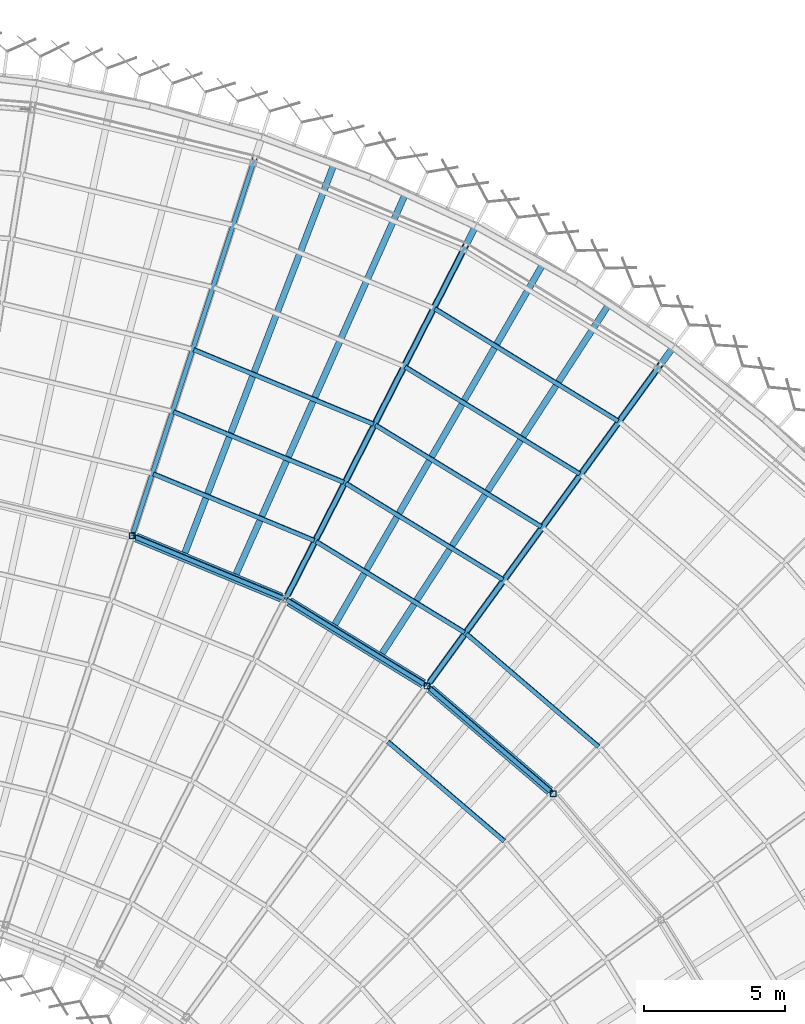
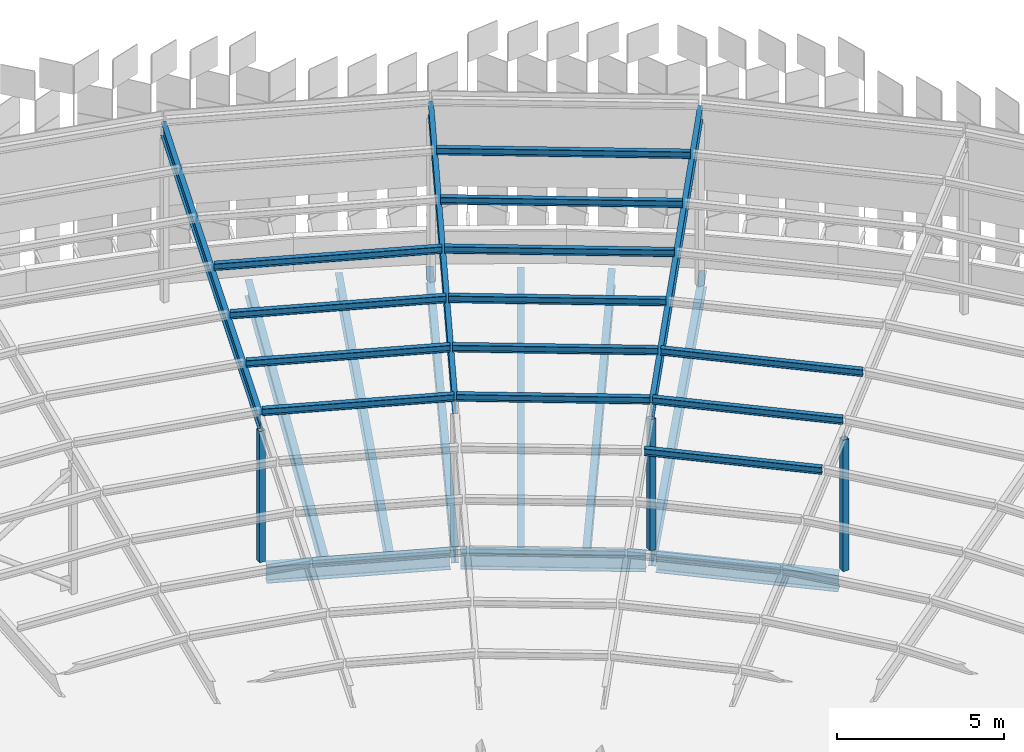
# One storey, part 86 of 483: 19 members, 9 beams.
"""IFC4 building model written with IfcOpenShell, lengths in metres."""

from ifc_helpers import new_model, si_unit, direction, frame, origin, origin_2d, place, context, subcontext, project, spatial, hollow_rectangle, i_section, extrude, material, material_profile, profile_set, type_object, element, save


model = new_model("IFC4")

# Units and contexts
model_context = context("Model", 3, precision=1e-05, world=origin(), true_north=direction((0.0, 1.0)))
body_context = subcontext(model_context, "Body", "Model", "MODEL_VIEW")
ifc_project = project(units=[si_unit("LENGTHUNIT", "METRE"), si_unit("AREAUNIT", "SQUARE_METRE"), si_unit("VOLUMEUNIT", "CUBIC_METRE"), si_unit("PLANEANGLEUNIT", "RADIAN"), si_unit("MASSUNIT", "GRAM", prefix="KILO")], contexts=[model_context])

# Site, building, storey
site_placement = place(None, origin())
site = spatial("IfcSite", under=ifc_project, at=site_placement, CompositionType="ELEMENT")
building_placement = place(site_placement, origin())
building = spatial("IfcBuilding", under=site, at=building_placement, Name="Parallax Yard Mobility Hub", CompositionType="ELEMENT")
storey_placement = place(building_placement, frame((0.0, 0.0, 13.199951171875)))
storey = spatial("IfcBuildingStorey", under=building, at=storey_placement, Name="L04", CompositionType="ELEMENT", Elevation=13.199951171875)

# Members
ifc_material_1 = material(Name="Steel ASTM A500 Gr C", Category="steel")
ifc_material_profile_1 = material_profile(ifc_material_1, hollow_rectangle(XDim=0.203125, YDim=0.203125, WallThickness=0.009521484375, at=origin_2d()), Name="HSS203x203x9.5")
ifc_profile_set_1 = profile_set([ifc_material_profile_1], Name="Steel ASTM A500 Gr C")
member_type_1 = type_object("IfcMemberType", Name="Canopy post HSS203x203x9.5", PredefinedType="POST", material=ifc_profile_set_1)
for number, where, z_axis, x_axis, name in (
    (1, (184.088134765625, 125.66455078125, 0.0), (0.0, 0.0, 1.0), (1.0, 0.0, 0.0), "Canopy post RB/R2"),
    (2, (194.5419921875, 120.338134765625, 0.0), (0.0, 0.0, 1.0), (1.0, 0.0, 0.0), "Canopy post RB/R4"),
    (3, (199.0166015625, 116.5166015625, 0.0), (0.0, 0.0, 1.0), (1.0, 0.0, 0.0), "Canopy post RB/R5"),
):
    element("IfcMember", number, at=place(storey_placement, frame(where, z_axis=z_axis, x_axis=x_axis)), inside=storey, type_object=member_type_1, Name=name, PredefinedType="POST", context=body_context, shape_type="SweptSolid", body=[
        extrude(hollow_rectangle(XDim=0.203125, YDim=0.203125, WallThickness=0.009521484375, at=origin_2d()), origin(), (0.0, 0.0, 1.0), 4.81005859375),
    ])
ifc_material_2 = material(Name="Steel ASTM A992", Category="steel")
ifc_material_profile_2 = material_profile(ifc_material_2, i_section(OverallWidth=0.14794921875, OverallDepth=0.26611328125, WebThickness=0.007568359375, FlangeThickness=0.012939453125, at=origin_2d()), Name="W250x45")
ifc_profile_set_2 = profile_set([ifc_material_profile_2], Name="Steel ASTM A992")
member_type_2 = type_object("IfcMemberType", Name="Canopy purlin W250x45", PredefinedType="PURLIN", material=ifc_profile_set_2)
member_1_placement = place(storey_placement, frame((184.129150390625, 125.6591796875, 5.462158203125), z_axis=(0.923867648794, -0.382712120937, 0.0), x_axis=(0.38148577866, 0.920907256651, 0.079990157691)))
element("IfcMember", 4, at=member_1_placement, inside=storey, type_object=member_type_2, Name="Canopy purlin sector R2-R3 line 7", PredefinedType="PURLIN", context=body_context, shape_type="SweptSolid", body=[
    extrude(i_section(OverallWidth=0.14794921875, OverallDepth=0.26611328125, WebThickness=0.007568359375, FlangeThickness=0.012939453125, at=origin_2d()), origin(), (0.0, 0.0, 1.0), 5.804443359375),
])
member_2_placement = place(storey_placement, frame((184.844970703125, 127.8623046875, 5.6474609375), z_axis=(0.923881754226, -0.382678068628, 0.0), x_axis=(0.381451835467, 0.920921316884, 0.079990157691)))
element("IfcMember", 5, at=member_2_placement, inside=storey, type_object=member_type_2, Name="Canopy purlin sector R2-R3 line 8", PredefinedType="PURLIN", context=body_context, shape_type="SweptSolid", body=[
    extrude(i_section(OverallWidth=0.14794921875, OverallDepth=0.26611328125, WebThickness=0.007568359375, FlangeThickness=0.012939453125, at=origin_2d()), origin(), (0.0, 0.0, 1.0), 6.16796875),
])
member_3_placement = place(storey_placement, frame((185.560791015625, 130.065673828125, 5.832763671875), z_axis=(0.923881073682, -0.38267971163, 0.0), x_axis=(0.381453473204, 0.920920638521, 0.079990157691)))
element("IfcMember", 6, at=member_3_placement, inside=storey, type_object=member_type_2, Name="Canopy purlin sector R2-R3 line 9", PredefinedType="PURLIN", context=body_context, shape_type="SweptSolid", body=[
    extrude(i_section(OverallWidth=0.14794921875, OverallDepth=0.26611328125, WebThickness=0.007568359375, FlangeThickness=0.012939453125, at=origin_2d()), origin(), (0.0, 0.0, 1.0), 6.531494140625),
])
member_4_placement = place(storey_placement, frame((186.27685546875, 132.26904296875, 6.01806640625), z_axis=(0.923875279452, -0.382693699997, 0.0), x_axis=(0.381467416747, 0.920914862858, 0.079990157691)))
element("IfcMember", 7, at=member_4_placement, inside=storey, type_object=member_type_2, Name="Canopy purlin sector R2-R3 line 10", PredefinedType="PURLIN", context=body_context, shape_type="SweptSolid", body=[
    extrude(i_section(OverallWidth=0.14794921875, OverallDepth=0.26611328125, WebThickness=0.007568359375, FlangeThickness=0.012939453125, at=origin_2d()), origin(), (0.0, 0.0, 1.0), 6.89501953125),
])
member_5_placement = place(storey_placement, frame((189.564208984375, 123.40087890625, 5.462158203125), z_axis=(0.852653235394, -0.522477234119, 0.0), x_axis=(0.52080303598, 0.849921038913, 0.079990157691)))
element("IfcMember", 8, at=member_5_placement, inside=storey, type_object=member_type_2, Name="Canopy purlin sector R3-R4 line 7", PredefinedType="PURLIN", context=body_context, shape_type="SweptSolid", body=[
    extrude(i_section(OverallWidth=0.14794921875, OverallDepth=0.26611328125, WebThickness=0.007568359375, FlangeThickness=0.012939453125, at=origin_2d()), origin(), (0.0, 0.0, 1.0), 5.804443359375),
])
member_6_placement = place(storey_placement, frame((190.6162109375, 125.465087890625, 5.6474609375), z_axis=(0.852635384896, -0.522506364003, 0.0), x_axis=(0.520832072521, 0.849903245614, 0.079990157691)))
element("IfcMember", 9, at=member_6_placement, inside=storey, type_object=member_type_2, Name="Canopy purlin sector R3-R4 line 8", PredefinedType="PURLIN", context=body_context, shape_type="SweptSolid", body=[
    extrude(i_section(OverallWidth=0.14794921875, OverallDepth=0.26611328125, WebThickness=0.007568359375, FlangeThickness=0.012939453125, at=origin_2d()), origin(), (0.0, 0.0, 1.0), 6.167724609375),
])
member_7_placement = place(storey_placement, frame((191.667724609375, 127.529296875, 5.832763671875), z_axis=(0.852650135308, -0.52248229325, 0.0), x_axis=(0.5208080789, 0.849917948761, 0.079990157691)))
element("IfcMember", 10, at=member_7_placement, inside=storey, type_object=member_type_2, Name="Canopy purlin sector R3-R4 line 9", PredefinedType="PURLIN", context=body_context, shape_type="SweptSolid", body=[
    extrude(i_section(OverallWidth=0.14794921875, OverallDepth=0.26611328125, WebThickness=0.007568359375, FlangeThickness=0.012939453125, at=origin_2d()), origin(), (0.0, 0.0, 1.0), 6.531494140625),
])
member_8_placement = place(storey_placement, frame((192.719482421875, 129.593505859375, 6.01806640625), z_axis=(0.852637889411, -0.522502277067, 0.0), x_axis=(0.520827998681, 0.849905742105, 0.079990157691)))
element("IfcMember", 11, at=member_8_placement, inside=storey, type_object=member_type_2, Name="Canopy purlin sector R3-R4 line 10", PredefinedType="PURLIN", context=body_context, shape_type="SweptSolid", body=[
    extrude(i_section(OverallWidth=0.14794921875, OverallDepth=0.26611328125, WebThickness=0.007568359375, FlangeThickness=0.012939453125, at=origin_2d()), origin(), (0.0, 0.0, 1.0), 6.895263671875),
])
member_9_placement = place(storey_placement, frame((193.771240234375, 131.65771484375, 6.203369140625), z_axis=(0.852632671834, -0.522510791201, 0.0), x_axis=(0.520836485533, 0.849900541246, 0.079990157691)))
element("IfcMember", 12, at=member_9_placement, inside=storey, type_object=member_type_2, Name="Canopy purlin sector R3-R4 line 11", PredefinedType="PURLIN", context=body_context, shape_type="SweptSolid", body=[
    extrude(i_section(OverallWidth=0.14794921875, OverallDepth=0.26611328125, WebThickness=0.007568359375, FlangeThickness=0.012939453125, at=origin_2d()), origin(), (0.0, 0.0, 1.0), 7.258544921875),
])
member_10_placement = place(storey_placement, frame((194.822998046875, 133.7216796875, 6.388671875), z_axis=(0.852650966036, -0.522480937565, 0.0), x_axis=(0.520806727558, 0.849918776827, 0.079990157691)))
element("IfcMember", 13, at=member_10_placement, inside=storey, type_object=member_type_2, Name="Canopy purlin sector R3-R4 line 12", PredefinedType="PURLIN", context=body_context, shape_type="SweptSolid", body=[
    extrude(i_section(OverallWidth=0.14794921875, OverallDepth=0.26611328125, WebThickness=0.007568359375, FlangeThickness=0.012939453125, at=origin_2d()), origin(), (0.0, 0.0, 1.0), 7.6220703125),
])
member_11_placement = place(storey_placement, frame((193.15869140625, 118.364990234375, 5.2685546875), z_axis=(0.760433865023, -0.649415380882, 0.0), x_axis=(0.647334428926, 0.757997171367, 0.079990157691)))
element("IfcMember", 14, at=member_11_placement, inside=storey, type_object=member_type_2, Name="Canopy purlin sector R4-R5 line 6", PredefinedType="PURLIN", context=body_context, shape_type="SweptSolid", body=[
    extrude(i_section(OverallWidth=0.14794921875, OverallDepth=0.26611328125, WebThickness=0.007568359375, FlangeThickness=0.012939453125, at=origin_2d()), origin(), (0.0, 0.0, 1.0), 5.42529296875),
])
member_12_placement = place(storey_placement, frame((194.5791015625, 120.3203125, 5.462158203125), z_axis=(0.760404401791, -0.649449879311, 0.0), x_axis=(0.64736881681, 0.757967802545, 0.079990157691)))
element("IfcMember", 15, at=member_12_placement, inside=storey, type_object=member_type_2, Name="Canopy purlin sector R4-R5 line 7", PredefinedType="PURLIN", context=body_context, shape_type="SweptSolid", body=[
    extrude(i_section(OverallWidth=0.14794921875, OverallDepth=0.26611328125, WebThickness=0.007568359375, FlangeThickness=0.012939453125, at=origin_2d()), origin(), (0.0, 0.0, 1.0), 5.8046875),
])
member_13_placement = place(storey_placement, frame((195.94091796875, 122.194580078125, 5.6474609375), z_axis=(0.760400962463, -0.649453906205, 0.0), x_axis=(0.6473728308, 0.757964374238, 0.079990157691)))
element("IfcMember", 16, at=member_13_placement, inside=storey, type_object=member_type_2, Name="Canopy purlin sector R4-R5 line 8", PredefinedType="PURLIN", context=body_context, shape_type="SweptSolid", body=[
    extrude(i_section(OverallWidth=0.14794921875, OverallDepth=0.26611328125, WebThickness=0.007568359375, FlangeThickness=0.012939453125, at=origin_2d()), origin(), (0.0, 0.0, 1.0), 6.16796875),
])
ifc_material_profile_3 = material_profile(ifc_material_2, i_section(OverallWidth=0.166015625, OverallDepth=0.529052734375, WebThickness=0.009765625, FlangeThickness=0.013671875, at=origin_2d()), Name="W530x74")
ifc_profile_set_3 = profile_set([ifc_material_profile_3], Name="Steel ASTM A992")
member_type_3 = type_object("IfcMemberType", Name="Canopy rafter W530x74", PredefinedType="RAFTER", material=ifc_profile_set_3)
for number, where, z_axis, x_axis, name in (
    (17, (184.094482421875, 125.684814453125, 5.067138671875), (0.308040578071, 0.948025017937, 0.079746897292), (-0.951053987427, 0.309024777322, 0.0), "Canopy rafter R2 outer span"),
    (18, (189.5341796875, 123.431396484375, 5.067138671875), (0.452545517564, 0.888168427455, 0.079745840045), (-0.89100607767, 0.45399137608, 0.0), "Canopy rafter R3 outer span"),
    (19, (194.55419921875, 120.355224609375, 5.067138671875), (0.58592044576, 0.806435217835, 0.079746289422), (-0.809011764031, 0.587792451176, 0.0), "Canopy rafter R4 outer span"),
):
    element("IfcMember", number, at=place(storey_placement, frame(where, z_axis=z_axis, x_axis=x_axis)), inside=storey, type_object=member_type_3, Name=name, PredefinedType="RAFTER", context=body_context, shape_type="SweptSolid", body=[
        extrude(i_section(OverallWidth=0.166015625, OverallDepth=0.529052734375, WebThickness=0.009765625, FlangeThickness=0.013671875, at=origin_2d()), origin(), (0.0, 0.0, 1.0), 14.094970703125),
    ])

# Beams
ifc_material_profile_4 = material_profile(ifc_material_2, i_section(OverallWidth=0.22802734375, OverallDepth=0.60205078125, WebThickness=0.010498046875, FlangeThickness=0.014892578125, FilletRadius=0.0126953125, at=origin_2d()), Name="W610x101")
ifc_profile_set_4 = profile_set([ifc_material_profile_4], Name="Steel ASTM A992")
beam_type_1 = type_object("IfcBeamType", Name="W610x101 secondary beam", PredefinedType="JOIST", material=ifc_profile_set_4)
beam_1_placement = place(storey_placement, frame((185.960205078125, 125.065185546875, -0.44091796875), z_axis=(0.358369476341, 0.933579840414, 0.0), x_axis=(-0.933579840414, 0.358369476341, 0.0)))
element("IfcBeam", 20, at=beam_1_placement, inside=storey, type_object=beam_type_1, Name="Secondary beam B3 level L04, radial at 21 degrees of ramped parking decks, span 2", PredefinedType="JOIST", context=body_context, shape_type="SweptSolid", body=[
    extrude(i_section(OverallWidth=0.22802734375, OverallDepth=0.60205078125, WebThickness=0.010498046875, FlangeThickness=0.014892578125, FilletRadius=0.0126953125, at=origin_2d()), origin(), (0.0, 0.0, 1.0), 14.681640625),
])
for number, where, z_axis, x_axis, name in (
    (21, (187.77685546875, 124.3125, -0.44091796875), (0.406737010648, 0.913545293989, 0.0), (-0.913545293989, 0.406737010648, 0.0), "Secondary beam B3 level L04, radial at 24 degrees of ramped parking decks, span 2"),
    (22, (191.27978515625, 122.527587890625, -0.44091796875), (0.499994986164, 0.866028298505, 0.0), (-0.866028298505, 0.499994986164, 0.0), "Secondary beam B3 level L04, radial at 30 degrees of ramped parking decks, span 2"),
    (23, (192.95654296875, 121.500244140625, -0.44091796875), (0.544640532551, 0.838669595432, 0.0), (-0.838669595432, 0.544640532551, 0.0), "Secondary beam B3 level L04, radial at 33 degrees of ramped parking decks, span 2"),
):
    element("IfcBeam", number, at=place(storey_placement, frame(where, z_axis=z_axis, x_axis=x_axis)), inside=storey, type_object=beam_type_1, Name=name, PredefinedType="JOIST", context=body_context, shape_type="SweptSolid", body=[
        extrude(i_section(OverallWidth=0.22802734375, OverallDepth=0.60205078125, WebThickness=0.010498046875, FlangeThickness=0.014892578125, FilletRadius=0.0126953125, at=origin_2d()), origin(), (0.0, 0.0, 1.0), 14.681884765625),
    ])
ifc_material_profile_5 = material_profile(ifc_material_2, i_section(OverallWidth=0.22900390625, OverallDepth=0.612060546875, WebThickness=0.011962890625, FlangeThickness=0.01953125, FilletRadius=0.0126953125, at=origin_2d()), Name="W610x125")
ifc_profile_set_5 = profile_set([ifc_material_profile_5], Name="Steel ASTM A992")
beam_type_2 = type_object("IfcBeamType", Name="W610x125 girder", PredefinedType="BEAM", material=ifc_profile_set_5)
for number, where, z_axis, x_axis, name in (
    (24, (189.59912109375, 123.558837890625, -0.446044921875), (0.453991539812, 0.891005994244, 0.0), (-0.891005994244, 0.453991539812, 0.0), "Girder G3 level L04, radial R3 of ramped parking decks, span 1"),
    (25, (194.63818359375, 120.470703125, -0.446044921875), (0.587793956991, 0.80901066997, 0.0), (-0.80901066997, 0.587793956991, 0.0), "Girder G3 level L04, radial R4 of ramped parking decks, span 2"),
):
    element("IfcBeam", number, at=place(storey_placement, frame(where, z_axis=z_axis, x_axis=x_axis)), inside=storey, type_object=beam_type_2, Name=name, PredefinedType="BEAM", context=body_context, shape_type="SweptSolid", body=[
        extrude(i_section(OverallWidth=0.22900390625, OverallDepth=0.612060546875, WebThickness=0.011962890625, FlangeThickness=0.01953125, FilletRadius=0.0126953125, at=origin_2d()), origin(), (0.0, 0.0, 1.0), 14.6826171875),
    ])
ifc_material_profile_6 = material_profile(ifc_material_2, i_section(OverallWidth=0.324951171875, OverallDepth=0.612060546875, WebThickness=0.0126953125, FlangeThickness=0.01904296875, FilletRadius=0.0126953125, at=origin_2d()), Name="W610x155")
ifc_profile_set_6 = profile_set([ifc_material_profile_6], Name="Steel ASTM A992")
beam_type_3 = type_object("IfcBeamType", Name="W610x155 longitudinal beam", PredefinedType="BEAM", material=ifc_profile_set_6)
beam_2_placement = place(storey_placement, frame((184.231689453125, 125.60498046875, -0.446044921875), z_axis=(0.923888707417, -0.382661281433, 0.0), x_axis=(0.382661281433, 0.923888707417, 0.0)))
element("IfcBeam", 26, at=beam_2_placement, inside=storey, type_object=beam_type_3, Name="Longitudinal beam SB8 level L04, ring RB of ramped parking decks, span 3", PredefinedType="BEAM", context=body_context, shape_type="SweptSolid", body=[
    extrude(i_section(OverallWidth=0.324951171875, OverallDepth=0.612060546875, WebThickness=0.0126953125, FlangeThickness=0.01904296875, FilletRadius=0.0126953125, at=origin_2d()), origin(), (0.0, 0.0, 1.0), 5.57373046875),
])
for number, where, z_axis, x_axis, name in (
    (27, (189.6572265625, 123.33154296875, -0.446044921875), (0.852611954859, -0.522544595639, 0.0), (0.522544595639, 0.852611954859, 0.0), "Longitudinal beam SB8 level L04, ring RB of ramped parking decks, span 4"),
    (28, (194.66015625, 120.237060546875, -0.446044921875), (0.760405676132, -0.649448387254, 0.0), (0.649448387254, 0.760405676132, 0.0), "Longitudinal beam SB8 level L04, ring RB of ramped parking decks, span 5"),
):
    element("IfcBeam", number, at=place(storey_placement, frame(where, z_axis=z_axis, x_axis=x_axis)), inside=storey, type_object=beam_type_3, Name=name, PredefinedType="BEAM", context=body_context, shape_type="SweptSolid", body=[
        extrude(i_section(OverallWidth=0.324951171875, OverallDepth=0.612060546875, WebThickness=0.0126953125, FlangeThickness=0.01904296875, FilletRadius=0.0126953125, at=origin_2d()), origin(), (0.0, 0.0, 1.0), 5.573486328125),
    ])

save(model, "model.ifc")
